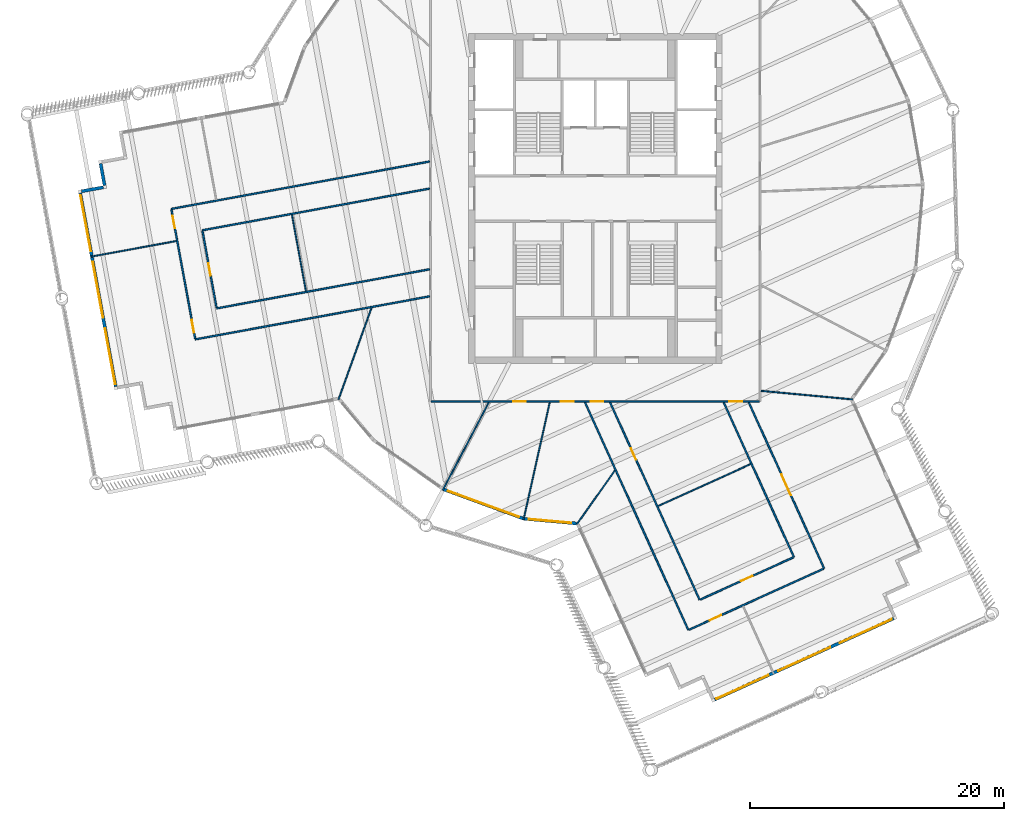
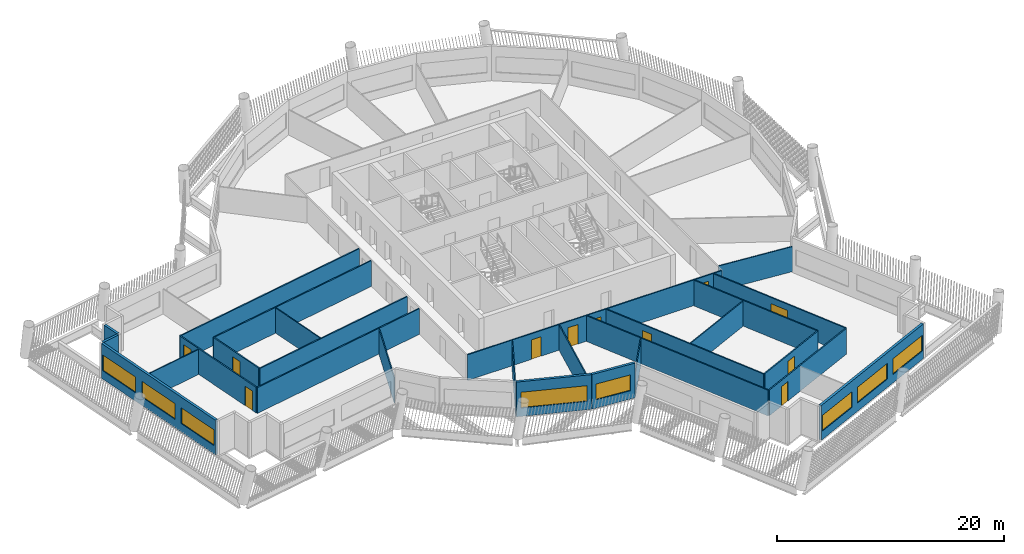
# One storey, part 3 of 15: 27 walls, 11 doors, 8 windows, 19 openings.
"""IFC4 building model written with IfcOpenShell, lengths in metres."""

from ifc_helpers import new_model, si_unit, direction, frame, frame_2d, origin, place, context, subcontext, project, spatial, rectangle, extrude, material, layer, layer_set, type_object, element, fill, save


model = new_model("IFC4")

# Units and contexts
model_context = context("Model", 3, precision=1e-05, world=origin(), true_north=direction((0.0, 1.0)))
body_context = subcontext(model_context, "Body", "Model", "MODEL_VIEW")
ifc_project = project(units=[si_unit("LENGTHUNIT", "METRE"), si_unit("AREAUNIT", "SQUARE_METRE"), si_unit("VOLUMEUNIT", "CUBIC_METRE"), si_unit("PLANEANGLEUNIT", "RADIAN"), si_unit("MASSUNIT", "GRAM", prefix="KILO")], contexts=[model_context])

# Site, building, storey
site_placement = place(None, origin())
site = spatial("IfcSite", under=ifc_project, at=site_placement, CompositionType="ELEMENT")
building_placement = place(site_placement, origin())
building = spatial("IfcBuilding", under=site, at=building_placement, Name="Tarsis Ring Headquarters", CompositionType="ELEMENT")
storey_placement = place(building_placement, frame((0.0, 0.0, 327.5)))
storey = spatial("IfcBuildingStorey", under=building, at=storey_placement, Name="L77", CompositionType="ELEMENT", Elevation=327.5)

# Walls
ifc_material_1 = material(Name="Gypsum board on steel studs", Category="steel")
ifc_layer_1 = layer(ifc_material_1, 0.10009765625)
ifc_layer_set_1 = layer_set([ifc_layer_1], Name="FL partition 100 unrated")
wall_type_1 = type_object("IfcWallType", Name="FL partition 100 unrated", PredefinedType="PARTITIONING", material=ifc_layer_set_1)
wall_1_placement = place(storey_placement, frame((-5.660400390625, -25.322998046875, 0.0), z_axis=(0.0, 0.0, 1.0), x_axis=(0.218137886552, 0.975917958873, 0.0)))
element("IfcWall", 1, at=wall_1_placement, inside=storey, type_object=wall_type_1, Name="Partition PW3", PredefinedType="PARTITIONING", context=body_context, shape_type="SweptSolid", body=[
    extrude(rectangle(XDim=9.48291015625, YDim=0.10009765625, at=frame_2d((4.741455078125, 0.0))), origin(), (0.0, 0.0, 1.0), 2.699951171875),
])
wall_2_placement = place(storey_placement, frame((4.9501953125, -24.2509765625, 0.0), z_axis=(0.0, 0.0, 1.0), x_axis=(0.910689380646, 0.413091820276, 0.0)))
element("IfcWall", 2, at=wall_2_placement, inside=storey, type_object=wall_type_1, Name="Partition PW3", PredefinedType="PARTITIONING", context=body_context, shape_type="SweptSolid", body=[
    extrude(rectangle(XDim=8.02001953125, YDim=0.10009765625, at=frame_2d((4.010009765625, 0.0))), origin(), (0.0, 0.0, 1.0), 2.699951171875),
])
wall_3_placement = place(storey_placement, frame((-12.021484375, -22.9951171875, 0.0), z_axis=(0.0, 0.0, 1.0), x_axis=(0.463297210908, 0.886202964543, 0.0)))
element("IfcWall", 3, at=wall_3_placement, inside=storey, type_object=wall_type_1, Name="Partition PW3", PredefinedType="PARTITIONING", context=body_context, shape_type="SweptSolid", body=[
    extrude(rectangle(XDim=7.80322265625, YDim=0.10009765625, at=frame_2d((3.901611328125, 0.0))), origin(), (0.0, 0.0, 1.0), 2.699951171875),
])
wall_4_placement = place(storey_placement, frame((-20.252197265625, -15.841064453125, 0.0), z_axis=(0.0, 0.0, 1.0), x_axis=(0.339545746689, 0.940589541673, 0.0)))
element("IfcWall", 4, at=wall_4_placement, inside=storey, type_object=wall_type_1, Name="Partition PW3", PredefinedType="PARTITIONING", context=body_context, shape_type="SweptSolid", body=[
    extrude(rectangle(XDim=7.657470703125, YDim=0.10009765625, at=frame_2d((3.82861328125, 0.0))), origin(), (0.0, 0.0, 1.0), 2.699951171875),
])
wall_5_placement = place(storey_placement, frame((13.06982421875, -15.164794921875, 0.0), z_axis=(0.0, 0.0, 1.0), x_axis=(0.9956455764, -0.09321955908, 0.0)))
element("IfcWall", 5, at=wall_5_placement, inside=storey, type_object=wall_type_1, Name="Partition PW3", PredefinedType="PARTITIONING", context=body_context, shape_type="SweptSolid", body=[
    extrude(rectangle(XDim=7.241455078125, YDim=0.10009765625, at=frame_2d((3.62060546875, 0.0))), origin(), (0.0, 0.0, 1.0), 2.699951171875),
])
wall_6_placement = place(storey_placement, frame((-39.775634765625, -4.585693359375, 0.0), z_axis=(0.0, 0.0, 1.0), x_axis=(0.983571453775, 0.180519238083, 0.0)))
element("IfcWall", 6, at=wall_6_placement, inside=storey, type_object=wall_type_1, Name="Partition PW3", PredefinedType="PARTITIONING", context=body_context, shape_type="SweptSolid", body=[
    extrude(rectangle(XDim=6.85009765625, YDim=0.10009765625, at=frame_2d((3.425048828125, 0.0))), origin(), (0.0, 0.0, 1.0), 2.699951171875),
])
wall_7_placement = place(storey_placement, frame((-23.922119140625, -1.279296875, 0.0), z_axis=(0.0, 0.0, 1.0), x_axis=(0.180510546969, -0.983573048855, 0.0)))
element("IfcWall", 7, at=wall_7_placement, inside=storey, type_object=wall_type_1, Name="Partition PW3", PredefinedType="PARTITIONING", context=body_context, shape_type="SweptSolid", body=[
    extrude(rectangle(XDim=6.1201171875, YDim=0.10009765625, at=frame_2d((3.06005859375, 0.0))), origin(), (0.0, 0.0, 1.0), 2.699951171875),
])
wall_8_placement = place(storey_placement, frame((-1.44970703125, -25.6708984375, 0.0), z_axis=(0.0, 0.0, 1.0), x_axis=(0.578599055491, 0.815612121651, 0.0)))
element("IfcWall", 8, at=wall_8_placement, inside=storey, type_object=wall_type_1, Name="Partition PW3", PredefinedType="PARTITIONING", context=body_context, shape_type="SweptSolid", body=[
    extrude(rectangle(XDim=5.1689453125, YDim=0.10009765625, at=frame_2d((2.58447265625, 0.0))), origin(), (0.0, 0.0, 1.0), 2.699951171875),
])

# Wall, openings, doors
ifc_layer_2 = layer(ifc_material_1, 0.125)
ifc_layer_set_2 = layer_set([ifc_layer_2], Name="FL partition 125 EI 60 H2770")
wall_type_2 = type_object("IfcWallType", Name="FL partition 125 EI 60 H2770", PredefinedType="PARTITIONING", material=ifc_layer_set_2)
wall_9_placement = place(storey_placement, frame((-12.93994140625, -16.0, 0.0), z_axis=(0.0, 0.0, 1.0), x_axis=(1.0, 0.0, 0.0)))
wall_9 = element("IfcWall", 9, at=wall_9_placement, inside=storey, type_object=wall_type_2, Name="Partition PW1", PredefinedType="PARTITIONING", context=body_context, shape_type="SweptSolid", body=[
    extrude(rectangle(XDim=25.8798828125, YDim=0.125, at=frame_2d((12.93994140625, 0.0))), origin(), (0.0, 0.0, 1.0), 2.77001953125),
])
opening_1_placement = place(wall_9_placement, frame((10.228759765625, 0.0, 0.0)))
opening_1 = element("IfcOpeningElement", 10, at=opening_1_placement, cuts=wall_9, Name="Opening D77.14", PredefinedType="OPENING", context=body_context, shape_type="SweptSolid", body=[
    extrude(rectangle(XDim=1.0, YDim=2.10009765625, at=frame_2d((0.5, 1.050048828125))), frame((0.0, 0.072509765625, 0.0), z_axis=(0.0, -1.0, 0.0), x_axis=(1.0, 0.0, 0.0)), (0.0, 0.0, 1.0), 0.14501953125),
])
opening_2_placement = place(wall_9_placement, frame((6.469482421875, 0.0, 0.0)))
opening_2 = element("IfcOpeningElement", 11, at=opening_2_placement, cuts=wall_9, Name="Opening D77.15", PredefinedType="OPENING", context=body_context, shape_type="SweptSolid", body=[
    extrude(rectangle(XDim=1.0, YDim=2.10009765625, at=frame_2d((0.5, 1.050048828125))), frame((0.0, 0.072509765625, 0.0), z_axis=(0.0, -1.0, 0.0), x_axis=(1.0, 0.0, 0.0)), (0.0, 0.0, 1.0), 0.14501953125),
])
opening_3_placement = place(wall_9_placement, frame((12.58251953125, 0.0, 0.0)))
opening_3 = element("IfcOpeningElement", 12, at=opening_3_placement, cuts=wall_9, Name="Opening D77.21", PredefinedType="OPENING", context=body_context, shape_type="SweptSolid", body=[
    extrude(rectangle(XDim=1.0, YDim=2.10009765625, at=frame_2d((0.5, 1.050048828125))), frame((0.0, 0.072509765625, 0.0), z_axis=(0.0, -1.0, 0.0), x_axis=(1.0, 0.0, 0.0)), (0.0, 0.0, 1.0), 0.14501953125),
])
opening_4_placement = place(wall_9_placement, frame((23.519287109375, 0.0, 0.0)))
opening_4 = element("IfcOpeningElement", 13, at=opening_4_placement, cuts=wall_9, Name="Opening D77.22", PredefinedType="OPENING", context=body_context, shape_type="SweptSolid", body=[
    extrude(rectangle(XDim=1.0, YDim=2.10009765625, at=frame_2d((0.5, 1.050048828125))), frame((0.0, 0.072509765625, 0.0), z_axis=(0.0, -1.0, 0.0), x_axis=(1.0, 0.0, 0.0)), (0.0, 0.0, 1.0), 0.14501953125),
])
ifc_material_2 = material(Name="Fire-rated timber door leaf in steel frame", Category="steel")
door_type_1 = type_object("IfcDoorType", Name="FL door FD60-1000", OperationType="NOTDEFINED", PredefinedType="DOOR", material=ifc_material_2)
door_1_placement = place(opening_1_placement, origin())
door_1 = element("IfcDoor", 14, at=door_1_placement, inside=storey, type_object=door_type_1, Name="Door D77.14", OperationType="SINGLE_SWING_LEFT", OverallHeight=2.10009765625, OverallWidth=1.0, PredefinedType="DOOR", context=body_context, shape_type="SweptSolid", body=[
    extrude(rectangle(XDim=1.0, YDim=2.10009765625, at=frame_2d((0.5, 1.050048828125))), frame((0.0, 0.02490234375, 0.0), z_axis=(0.0, -1.0, 0.0), x_axis=(1.0, 0.0, 0.0)), (0.0, 0.0, 1.0), 0.050048828125),
])
fill(opening_1, door_1)
door_2_placement = place(opening_2_placement, origin())
door_2 = element("IfcDoor", 15, at=door_2_placement, inside=storey, type_object=door_type_1, Name="Door D77.15", OperationType="SINGLE_SWING_RIGHT", OverallHeight=2.10009765625, OverallWidth=1.0, PredefinedType="DOOR", context=body_context, shape_type="SweptSolid", body=[
    extrude(rectangle(XDim=1.0, YDim=2.10009765625, at=frame_2d((0.5, 1.050048828125))), frame((0.0, 0.02490234375, 0.0), z_axis=(0.0, -1.0, 0.0), x_axis=(1.0, 0.0, 0.0)), (0.0, 0.0, 1.0), 0.050048828125),
])
fill(opening_2, door_2)
door_3_placement = place(opening_3_placement, origin())
door_3 = element("IfcDoor", 16, at=door_3_placement, inside=storey, type_object=door_type_1, Name="Door D77.21", OperationType="SINGLE_SWING_RIGHT", OverallHeight=2.10009765625, OverallWidth=1.0, PredefinedType="DOOR", context=body_context, shape_type="SweptSolid", body=[
    extrude(rectangle(XDim=1.0, YDim=2.10009765625, at=frame_2d((0.5, 1.050048828125))), frame((0.0, 0.02490234375, 0.0), z_axis=(0.0, -1.0, 0.0), x_axis=(1.0, 0.0, 0.0)), (0.0, 0.0, 1.0), 0.050048828125),
])
fill(opening_3, door_3)
door_4_placement = place(opening_4_placement, origin())
door_4 = element("IfcDoor", 17, at=door_4_placement, inside=storey, type_object=door_type_1, Name="Door D77.22", OperationType="SINGLE_SWING_LEFT", OverallHeight=2.10009765625, OverallWidth=1.0, PredefinedType="DOOR", context=body_context, shape_type="SweptSolid", body=[
    extrude(rectangle(XDim=1.0, YDim=2.10009765625, at=frame_2d((0.5, 1.050048828125))), frame((0.0, 0.02490234375, 0.0), z_axis=(0.0, -1.0, 0.0), x_axis=(1.0, 0.0, 0.0)), (0.0, 0.0, 1.0), 0.050048828125),
])
fill(opening_4, door_4)

# Walls
wall_10_placement = place(storey_placement, frame((-33.431396484375, -0.818603515625, 0.0), z_axis=(0.0, 0.0, 1.0), x_axis=(0.983570804988, 0.180522773008, 0.0)))
element("IfcWall", 18, at=wall_10_placement, inside=storey, type_object=wall_type_2, Name="Partition PW1", PredefinedType="PARTITIONING", context=body_context, shape_type="SweptSolid", body=[
    extrude(rectangle(XDim=20.70263671875, YDim=0.125, at=frame_2d((10.351318359375, 0.0))), origin(), (0.0, 0.0, 1.0), 2.77001953125),
])
wall_11_placement = place(storey_placement, frame((-0.80859375, -16.08203125, 0.0), z_axis=(0.0, 0.0, 1.0), x_axis=(0.413100971666, -0.910685229489, 0.0)))
element("IfcWall", 19, at=wall_11_placement, inside=storey, type_object=wall_type_2, Name="Partition PW1", PredefinedType="PARTITIONING", context=body_context, shape_type="SweptSolid", body=[
    extrude(rectangle(XDim=19.70849609375, YDim=0.125, at=frame_2d((9.854248046875, 0.0))), origin(), (0.0, 0.0, 1.0), 2.77001953125),
])
wall_12_placement = place(storey_placement, frame((-31.543212890625, -11.106689453125, 0.0), z_axis=(0.0, 0.0, 1.0), x_axis=(0.983569687707, 0.180528860363, 0.0)))
element("IfcWall", 20, at=wall_12_placement, inside=storey, type_object=wall_type_2, Name="Partition PW1", PredefinedType="PARTITIONING", context=body_context, shape_type="SweptSolid", body=[
    extrude(rectangle(XDim=18.782958984375, YDim=0.125, at=frame_2d((9.3916015625, 0.0))), origin(), (0.0, 0.0, 1.0), 2.77001953125),
])
wall_13_placement = place(storey_placement, frame((-30.98681640625, -2.5048828125, 0.0), z_axis=(0.0, 0.0, 1.0), x_axis=(0.983571358067, 0.180519759554, 0.0)))
element("IfcWall", 21, at=wall_13_placement, inside=storey, type_object=wall_type_2, Name="Partition PW1", PredefinedType="PARTITIONING", context=body_context, shape_type="SweptSolid", body=[
    extrude(rectangle(XDim=18.21728515625, YDim=0.125, at=frame_2d((9.108642578125, 0.0))), origin(), (0.0, 0.0, 1.0), 2.77001953125),
])

# Wall, opening, door
wall_14_placement = place(storey_placement, frame((1.167724609375, -16.08203125, 0.0), z_axis=(0.0, 0.0, 1.0), x_axis=(0.413104379435, -0.910683683664, 0.0)))
wall_14 = element("IfcWall", 22, at=wall_14_placement, inside=storey, type_object=wall_type_2, Name="Partition PW1", PredefinedType="PARTITIONING", context=body_context, shape_type="SweptSolid", body=[
    extrude(rectangle(XDim=17.092041015625, YDim=0.125, at=frame_2d((8.5458984375, 0.0))), origin(), (0.0, 0.0, 1.0), 2.77001953125),
])
opening_5_placement = place(wall_14_placement, frame((3.954345703125, 0.0, 0.0)))
opening_5 = element("IfcOpeningElement", 23, at=opening_5_placement, cuts=wall_14, Name="Opening D77.19", PredefinedType="OPENING", context=body_context, shape_type="SweptSolid", body=[
    extrude(rectangle(XDim=1.0, YDim=2.10009765625, at=frame_2d((0.5, 1.050048828125))), frame((0.0, 0.072509765625, 0.0), z_axis=(0.0, -1.0, 0.0), x_axis=(1.0, 0.0, 0.0)), (0.0, 0.0, 1.0), 0.14501953125),
])
door_5_placement = place(opening_5_placement, origin())
door_5 = element("IfcDoor", 24, at=door_5_placement, inside=storey, type_object=door_type_1, Name="Door D77.19", OperationType="SINGLE_SWING_RIGHT", OverallHeight=2.10009765625, OverallWidth=1.0, PredefinedType="DOOR", context=body_context, shape_type="SweptSolid", body=[
    extrude(rectangle(XDim=1.0, YDim=2.10009765625, at=frame_2d((0.5, 1.050048828125))), frame((0.0, 0.02490234375, 0.0), z_axis=(0.0, -1.0, 0.0), x_axis=(1.0, 0.0, 0.0)), (0.0, 0.0, 1.0), 0.050048828125),
])
fill(opening_5, door_5)

# Wall
wall_15_placement = place(storey_placement, frame((-29.856689453125, -8.662109375, 0.0), z_axis=(0.0, 0.0, 1.0), x_axis=(0.983569876201, 0.180527833392, 0.0)))
element("IfcWall", 25, at=wall_15_placement, inside=storey, type_object=wall_type_2, Name="Partition PW1", PredefinedType="PARTITIONING", context=body_context, shape_type="SweptSolid", body=[
    extrude(rectangle(XDim=17.068359375, YDim=0.125, at=frame_2d((8.5341796875, 0.0))), origin(), (0.0, 0.0, 1.0), 2.77001953125),
])

# Wall, opening, door
wall_16_placement = place(storey_placement, frame((12.104736328125, -16.08203125, 0.0), z_axis=(0.0, 0.0, 1.0), x_axis=(0.413093866691, -0.910688452382, 0.0)))
wall_16 = element("IfcWall", 26, at=wall_16_placement, inside=storey, type_object=wall_type_2, Name="Partition PW1", PredefinedType="PARTITIONING", context=body_context, shape_type="SweptSolid", body=[
    extrude(rectangle(XDim=14.373779296875, YDim=0.125, at=frame_2d((7.18701171875, 0.0))), origin(), (0.0, 0.0, 1.0), 2.77001953125),
])
opening_6_placement = place(wall_16_placement, frame((6.241943359375, 0.0, 0.0)))
opening_6 = element("IfcOpeningElement", 27, at=opening_6_placement, cuts=wall_16, Name="Opening D77.12", PredefinedType="OPENING", context=body_context, shape_type="SweptSolid", body=[
    extrude(rectangle(XDim=1.800048828125, YDim=2.10009765625, at=frame_2d((0.89990234375, 1.050048828125))), frame((0.0, 0.072509765625, 0.0), z_axis=(0.0, -1.0, 0.0), x_axis=(1.0, 0.0, 0.0)), (0.0, 0.0, 1.0), 0.14501953125),
])
door_type_2 = type_object("IfcDoorType", Name="FL door FD60-1800", OperationType="DOUBLE_DOOR_SINGLE_SWING", PredefinedType="DOOR", material=ifc_material_2)
door_6_placement = place(opening_6_placement, origin())
door_6 = element("IfcDoor", 28, at=door_6_placement, inside=storey, type_object=door_type_2, Name="Door D77.12", OperationType="DOUBLE_DOOR_SINGLE_SWING", OverallHeight=2.10009765625, OverallWidth=1.800048828125, PredefinedType="DOOR", context=body_context, shape_type="SweptSolid", body=[
    extrude(rectangle(XDim=1.800048828125, YDim=2.10009765625, at=frame_2d((0.89990234375, 1.050048828125))), frame((0.0, 0.02490234375, 0.0), z_axis=(0.0, -1.0, 0.0), x_axis=(1.0, 0.0, 0.0)), (0.0, 0.0, 1.0), 0.050048828125),
])
fill(opening_6, door_6)

# Wall
wall_17_placement = place(storey_placement, frame((10.128173828125, -16.08203125, 0.0), z_axis=(0.0, 0.0, 1.0), x_axis=(0.41311323538, -0.910679666378, 0.0)))
element("IfcWall", 29, at=wall_17_placement, inside=storey, type_object=wall_type_2, Name="Partition PW1", PredefinedType="PARTITIONING", context=body_context, shape_type="SweptSolid", body=[
    extrude(rectangle(XDim=13.390380859375, YDim=0.125, at=frame_2d((6.6953125, 0.0))), origin(), (0.0, 0.0, 1.0), 2.77001953125),
])

# Wall, opening, door
wall_18_placement = place(storey_placement, frame((7.3876953125, -34.00537109375, 0.0), z_axis=(0.0, 0.0, 1.0), x_axis=(0.910681545388, 0.413109093207, 0.0)))
wall_18 = element("IfcWall", 30, at=wall_18_placement, inside=storey, type_object=wall_type_2, Name="Partition PW1", PredefinedType="PARTITIONING", context=body_context, shape_type="SweptSolid", body=[
    extrude(rectangle(XDim=11.639892578125, YDim=0.125, at=frame_2d((5.81982421875, 0.0))), origin(), (0.0, 0.0, 1.0), 2.77001953125),
])
opening_7_placement = place(wall_18_placement, frame((1.796630859375, 0.0, 0.0)))
opening_7 = element("IfcOpeningElement", 31, at=opening_7_placement, cuts=wall_18, Name="Opening D77.13", PredefinedType="OPENING", context=body_context, shape_type="SweptSolid", body=[
    extrude(rectangle(XDim=1.0, YDim=2.10009765625, at=frame_2d((0.5, 1.050048828125))), frame((0.0, 0.072509765625, 0.0), z_axis=(0.0, -1.0, 0.0), x_axis=(1.0, 0.0, 0.0)), (0.0, 0.0, 1.0), 0.14501953125),
])
door_7_placement = place(opening_7_placement, origin())
door_7 = element("IfcDoor", 32, at=door_7_placement, inside=storey, type_object=door_type_1, Name="Door D77.13", OperationType="SINGLE_SWING_RIGHT", OverallHeight=2.10009765625, OverallWidth=1.0, PredefinedType="DOOR", context=body_context, shape_type="SweptSolid", body=[
    extrude(rectangle(XDim=1.0, YDim=2.10009765625, at=frame_2d((0.5, 1.050048828125))), frame((0.0, 0.02490234375, 0.0), z_axis=(0.0, -1.0, 0.0), x_axis=(1.0, 0.0, 0.0)), (0.0, 0.0, 1.0), 0.050048828125),
])
fill(opening_7, door_7)

# Wall, openings, doors
wall_19_placement = place(storey_placement, frame((-33.420654296875, -0.87744140625, 0.0), z_axis=(0.0, 0.0, 1.0), x_axis=(0.180507948351, -0.983573525763, 0.0)))
wall_19 = element("IfcWall", 33, at=wall_19_placement, inside=storey, type_object=wall_type_2, Name="Partition PW1", PredefinedType="PARTITIONING", context=body_context, shape_type="SweptSolid", body=[
    extrude(rectangle(XDim=10.340087890625, YDim=0.125, at=frame_2d((5.169921875, 0.0))), origin(), (0.0, 0.0, 1.0), 2.77001953125),
])
opening_8_placement = place(wall_19_placement, frame((8.85009765625, 0.0, 0.0)))
opening_8 = element("IfcOpeningElement", 34, at=opening_8_placement, cuts=wall_19, Name="Opening D77.01", PredefinedType="OPENING", context=body_context, shape_type="SweptSolid", body=[
    extrude(rectangle(XDim=1.0, YDim=2.10009765625, at=frame_2d((0.5, 1.050048828125))), frame((0.0, 0.072509765625, 0.0), z_axis=(0.0, -1.0, 0.0), x_axis=(1.0, 0.0, 0.0)), (0.0, 0.0, 1.0), 0.14501953125),
])
opening_9_placement = place(wall_19_placement, frame((0.489990234375, 0.0, 0.0)))
opening_9 = element("IfcOpeningElement", 35, at=opening_9_placement, cuts=wall_19, Name="Opening D77.02", PredefinedType="OPENING", context=body_context, shape_type="SweptSolid", body=[
    extrude(rectangle(XDim=1.0, YDim=2.10009765625, at=frame_2d((0.5, 1.050048828125))), frame((0.0, 0.072509765625, 0.0), z_axis=(0.0, -1.0, 0.0), x_axis=(1.0, 0.0, 0.0)), (0.0, 0.0, 1.0), 0.14501953125),
])
door_8_placement = place(opening_8_placement, origin())
door_8 = element("IfcDoor", 36, at=door_8_placement, inside=storey, type_object=door_type_1, Name="Door D77.01", OperationType="SINGLE_SWING_RIGHT", OverallHeight=2.10009765625, OverallWidth=1.0, PredefinedType="DOOR", context=body_context, shape_type="SweptSolid", body=[
    extrude(rectangle(XDim=1.0, YDim=2.10009765625, at=frame_2d((0.5, 1.050048828125))), frame((0.0, 0.02490234375, 0.0), z_axis=(0.0, -1.0, 0.0), x_axis=(1.0, 0.0, 0.0)), (0.0, 0.0, 1.0), 0.050048828125),
])
fill(opening_8, door_8)
door_9_placement = place(opening_9_placement, origin())
door_9 = element("IfcDoor", 37, at=door_9_placement, inside=storey, type_object=door_type_1, Name="Door D77.02", OperationType="SINGLE_SWING_LEFT", OverallHeight=2.10009765625, OverallWidth=1.0, PredefinedType="DOOR", context=body_context, shape_type="SweptSolid", body=[
    extrude(rectangle(XDim=1.0, YDim=2.10009765625, at=frame_2d((0.5, 1.050048828125))), frame((0.0, 0.02490234375, 0.0), z_axis=(0.0, -1.0, 0.0), x_axis=(1.0, 0.0, 0.0)), (0.0, 0.0, 1.0), 0.050048828125),
])
fill(opening_9, door_9)

# Wall, opening, door
wall_20_placement = place(storey_placement, frame((8.283203125, -31.62255859375, 0.0), z_axis=(0.0, 0.0, 1.0), x_axis=(0.91068443014, 0.413102733832, 0.0)))
wall_20 = element("IfcWall", 38, at=wall_20_placement, inside=storey, type_object=wall_type_2, Name="Partition PW1", PredefinedType="PARTITIONING", context=body_context, shape_type="SweptSolid", body=[
    extrude(rectangle(XDim=8.039794921875, YDim=0.125, at=frame_2d((4.02001953125, 0.0))), origin(), (0.0, 0.0, 1.0), 2.77001953125),
])
opening_10_placement = place(wall_20_placement, frame((3.52001953125, 0.0, 0.0)))
opening_10 = element("IfcOpeningElement", 39, at=opening_10_placement, cuts=wall_20, Name="Opening D77.20", PredefinedType="OPENING", context=body_context, shape_type="SweptSolid", body=[
    extrude(rectangle(XDim=1.0, YDim=2.10009765625, at=frame_2d((0.5, 1.050048828125))), frame((0.0, 0.072509765625, 0.0), z_axis=(0.0, -1.0, 0.0), x_axis=(1.0, 0.0, 0.0)), (0.0, 0.0, 1.0), 0.14501953125),
])
door_10_placement = place(opening_10_placement, origin())
door_10 = element("IfcDoor", 40, at=door_10_placement, inside=storey, type_object=door_type_1, Name="Door D77.20", OperationType="SINGLE_SWING_LEFT", OverallHeight=2.10009765625, OverallWidth=1.0, PredefinedType="DOOR", context=body_context, shape_type="SweptSolid", body=[
    extrude(rectangle(XDim=1.0, YDim=2.10009765625, at=frame_2d((0.5, 1.050048828125))), frame((0.0, 0.02490234375, 0.0), z_axis=(0.0, -1.0, 0.0), x_axis=(1.0, 0.0, 0.0)), (0.0, 0.0, 1.0), 0.050048828125),
])
fill(opening_10, door_10)

wall_21_placement = place(storey_placement, frame((-30.97607421875, -2.56396484375, 0.0), z_axis=(0.0, 0.0, 1.0), x_axis=(0.180522778543, -0.983570803973, 0.0)))
wall_21 = element("IfcWall", 41, at=wall_21_placement, inside=storey, type_object=wall_type_2, Name="Partition PW1", PredefinedType="PARTITIONING", context=body_context, shape_type="SweptSolid", body=[
    extrude(rectangle(XDim=6.139892578125, YDim=0.125, at=frame_2d((3.06982421875, 0.0))), origin(), (0.0, 0.0, 1.0), 2.77001953125),
])
opening_11_placement = place(wall_21_placement, frame((2.570068359375, 0.0, 0.0)))
opening_11 = element("IfcOpeningElement", 42, at=opening_11_placement, cuts=wall_21, Name="Opening D77.18", PredefinedType="OPENING", context=body_context, shape_type="SweptSolid", body=[
    extrude(rectangle(XDim=1.0, YDim=2.10009765625, at=frame_2d((0.5, 1.050048828125))), frame((0.0, 0.072509765625, 0.0), z_axis=(0.0, -1.0, 0.0), x_axis=(1.0, 0.0, 0.0)), (0.0, 0.0, 1.0), 0.14501953125),
])
door_11_placement = place(opening_11_placement, origin())
door_11 = element("IfcDoor", 43, at=door_11_placement, inside=storey, type_object=door_type_1, Name="Door D77.18", OperationType="SINGLE_SWING_LEFT", OverallHeight=2.10009765625, OverallWidth=1.0, PredefinedType="DOOR", context=body_context, shape_type="SweptSolid", body=[
    extrude(rectangle(XDim=1.0, YDim=2.10009765625, at=frame_2d((0.5, 1.050048828125))), frame((0.0, 0.02490234375, 0.0), z_axis=(0.0, -1.0, 0.0), x_axis=(1.0, 0.0, 0.0)), (0.0, 0.0, 1.0), 0.050048828125),
])
fill(opening_11, door_11)

# Wall, opening, window
ifc_material_3 = material(Name="Terracotta clad insulated panel wall", Category="masonry")
ifc_layer_3 = layer(ifc_material_3, 0.25)
ifc_layer_set_3 = layer_set([ifc_layer_3], Name="Facade wall terracotta panel 250")
wall_type_3 = type_object("IfcWallType", Name="Facade wall terracotta panel 250", PredefinedType="STANDARD", material=ifc_layer_set_3)
wall_22_placement = place(storey_placement, frame((-11.971923828125, -22.935302734375, 0.0), z_axis=(0.0, 0.0, 1.0), x_axis=(0.939101125744, -0.343640910875, 0.0)))
wall_22 = element("IfcWall", 44, at=wall_22_placement, inside=storey, type_object=wall_type_3, Name="External wall L77-04", PredefinedType="STANDARD", context=body_context, shape_type="SweptSolid", body=[
    extrude(rectangle(XDim=6.7216796875, YDim=0.25, at=frame_2d((3.36083984375, 0.0))), origin(), (0.0, 0.0, 1.0), 3.739990234375),
])
opening_12_placement = place(wall_22_placement, frame((0.3857421875, 0.0, 0.89990234375)))
opening_12 = element("IfcOpeningElement", 45, at=opening_12_placement, cuts=wall_22, Name="Opening WN07", PredefinedType="OPENING", context=body_context, shape_type="SweptSolid", body=[
    extrude(rectangle(XDim=5.949951171875, YDim=1.699951171875, at=frame_2d((2.97509765625, 0.85009765625))), frame((0.0, 0.135009765625, 0.0), z_axis=(0.0, -1.0, 0.0), x_axis=(1.0, 0.0, 0.0)), (0.0, 0.0, 1.0), 0.27001953125),
])
ifc_material_4 = material(Name="Aluminium framed double glazing", Category="aluminium")
window_type_1 = type_object("IfcWindowType", Name="Facade window 5950 x 1700", PartitioningType="SINGLE_PANEL", PredefinedType="WINDOW", material=ifc_material_4)
window_1_placement = place(opening_12_placement, origin())
window_1 = element("IfcWindow", 46, at=window_1_placement, inside=storey, type_object=window_type_1, Name="Window L77-04.1", OverallHeight=1.699951171875, OverallWidth=5.949951171875, PartitioningType="SINGLE_PANEL", PredefinedType="WINDOW", context=body_context, shape_type="SweptSolid", body=[
    extrude(rectangle(XDim=5.949951171875, YDim=1.699951171875, at=frame_2d((2.97509765625, 0.85009765625))), frame((0.0, 0.030029296875, 0.0), z_axis=(0.0, -1.0, 0.0), x_axis=(1.0, 0.0, 0.0)), (0.0, 0.0, 1.0), 0.06005859375),
])
fill(opening_12, window_1)

wall_23_placement = place(storey_placement, frame((-5.6279296875, -25.252197265625, 0.0), z_axis=(0.0, 0.0, 1.0), x_axis=(0.996040119956, -0.088904889849, 0.0)))
wall_23 = element("IfcWall", 47, at=wall_23_placement, inside=storey, type_object=wall_type_3, Name="External wall L77-05", PredefinedType="STANDARD", context=body_context, shape_type="SweptSolid", body=[
    extrude(rectangle(XDim=4.157470703125, YDim=0.25, at=frame_2d((2.07861328125, 0.0))), origin(), (0.0, 0.0, 1.0), 3.739990234375),
])
opening_13_placement = place(wall_23_placement, frame((0.38720703125, 0.0, 0.89990234375)))
opening_13 = element("IfcOpeningElement", 48, at=opening_13_placement, cuts=wall_23, Name="Opening WN01", PredefinedType="OPENING", context=body_context, shape_type="SweptSolid", body=[
    extrude(rectangle(XDim=3.35009765625, YDim=1.699951171875, at=frame_2d((1.675048828125, 0.85009765625))), frame((0.0, 0.135009765625, 0.0), z_axis=(0.0, -1.0, 0.0), x_axis=(1.0, 0.0, 0.0)), (0.0, 0.0, 1.0), 0.27001953125),
])
window_type_2 = type_object("IfcWindowType", Name="Facade window 3350 x 1700", PartitioningType="SINGLE_PANEL", PredefinedType="WINDOW", material=ifc_material_4)
window_2_placement = place(opening_13_placement, origin())
window_2 = element("IfcWindow", 49, at=window_2_placement, inside=storey, type_object=window_type_2, Name="Window L77-05.1", OverallHeight=1.699951171875, OverallWidth=3.35009765625, PartitioningType="SINGLE_PANEL", PredefinedType="WINDOW", context=body_context, shape_type="SweptSolid", body=[
    extrude(rectangle(XDim=3.35009765625, YDim=1.699951171875, at=frame_2d((1.675048828125, 0.85009765625))), frame((0.0, 0.030029296875, 0.0), z_axis=(0.0, -1.0, 0.0), x_axis=(1.0, 0.0, 0.0)), (0.0, 0.0, 1.0), 0.06005859375),
])
fill(opening_13, window_2)

# Wall, openings, windows
wall_24_placement = place(storey_placement, frame((9.414794921875, -39.51513671875, 0.0), z_axis=(0.0, 0.0, 1.0), x_axis=(0.910683390428, 0.41310502587, 0.0)))
wall_24 = element("IfcWall", 50, at=wall_24_placement, inside=storey, type_object=wall_type_3, Name="External wall L77-11", PredefinedType="STANDARD", context=body_context, shape_type="SweptSolid", body=[
    extrude(rectangle(XDim=15.499755859375, YDim=0.25, at=frame_2d((7.75, 0.0))), origin(), (0.0, 0.0, 1.0), 3.739990234375),
])
opening_14_placement = place(wall_24_placement, frame((0.166748046875, 0.0, 0.89990234375)))
opening_14 = element("IfcOpeningElement", 51, at=opening_14_placement, cuts=wall_24, Name="Opening WN04", PredefinedType="OPENING", context=body_context, shape_type="SweptSolid", body=[
    extrude(rectangle(XDim=4.5, YDim=1.699951171875, at=frame_2d((2.25, 0.85009765625))), frame((0.0, 0.135009765625, 0.0), z_axis=(0.0, -1.0, 0.0), x_axis=(1.0, 0.0, 0.0)), (0.0, 0.0, 1.0), 0.27001953125),
])
opening_15_placement = place(wall_24_placement, frame((5.5, 0.0, 0.89990234375)))
opening_15 = element("IfcOpeningElement", 52, at=opening_15_placement, cuts=wall_24, Name="Opening WN04", PredefinedType="OPENING", context=body_context, shape_type="SweptSolid", body=[
    extrude(rectangle(XDim=4.5, YDim=1.699951171875, at=frame_2d((2.25, 0.85009765625))), frame((0.0, 0.135009765625, 0.0), z_axis=(0.0, -1.0, 0.0), x_axis=(1.0, 0.0, 0.0)), (0.0, 0.0, 1.0), 0.27001953125),
])
opening_16_placement = place(wall_24_placement, frame((10.833251953125, 0.0, 0.89990234375)))
opening_16 = element("IfcOpeningElement", 53, at=opening_16_placement, cuts=wall_24, Name="Opening WN04", PredefinedType="OPENING", context=body_context, shape_type="SweptSolid", body=[
    extrude(rectangle(XDim=4.5, YDim=1.699951171875, at=frame_2d((2.25, 0.85009765625))), frame((0.0, 0.135009765625, 0.0), z_axis=(0.0, -1.0, 0.0), x_axis=(1.0, 0.0, 0.0)), (0.0, 0.0, 1.0), 0.27001953125),
])
window_type_3 = type_object("IfcWindowType", Name="Facade window 4500 x 1700", PartitioningType="SINGLE_PANEL", PredefinedType="WINDOW", material=ifc_material_4)
window_3_placement = place(opening_14_placement, origin())
window_3 = element("IfcWindow", 54, at=window_3_placement, inside=storey, type_object=window_type_3, Name="Window L77-11.1", OverallHeight=1.699951171875, OverallWidth=4.5, PartitioningType="SINGLE_PANEL", PredefinedType="WINDOW", context=body_context, shape_type="SweptSolid", body=[
    extrude(rectangle(XDim=4.5, YDim=1.699951171875, at=frame_2d((2.25, 0.85009765625))), frame((0.0, 0.030029296875, 0.0), z_axis=(0.0, -1.0, 0.0), x_axis=(1.0, 0.0, 0.0)), (0.0, 0.0, 1.0), 0.06005859375),
])
fill(opening_14, window_3)
window_4_placement = place(opening_15_placement, origin())
window_4 = element("IfcWindow", 55, at=window_4_placement, inside=storey, type_object=window_type_3, Name="Window L77-11.2", OverallHeight=1.699951171875, OverallWidth=4.5, PartitioningType="SINGLE_PANEL", PredefinedType="WINDOW", context=body_context, shape_type="SweptSolid", body=[
    extrude(rectangle(XDim=4.5, YDim=1.699951171875, at=frame_2d((2.25, 0.85009765625))), frame((0.0, 0.030029296875, 0.0), z_axis=(0.0, -1.0, 0.0), x_axis=(1.0, 0.0, 0.0)), (0.0, 0.0, 1.0), 0.06005859375),
])
fill(opening_15, window_4)
window_5_placement = place(opening_16_placement, origin())
window_5 = element("IfcWindow", 56, at=window_5_placement, inside=storey, type_object=window_type_3, Name="Window L77-11.3", OverallHeight=1.699951171875, OverallWidth=4.5, PartitioningType="SINGLE_PANEL", PredefinedType="WINDOW", context=body_context, shape_type="SweptSolid", body=[
    extrude(rectangle(XDim=4.5, YDim=1.699951171875, at=frame_2d((2.25, 0.85009765625))), frame((0.0, 0.030029296875, 0.0), z_axis=(0.0, -1.0, 0.0), x_axis=(1.0, 0.0, 0.0)), (0.0, 0.0, 1.0), 0.06005859375),
])
fill(opening_16, window_5)

# Walls
for number, where, z_axis, x_axis, name in (
    (57, (-39.012939453125, 2.752685546875, 0.0), (0.0, 0.0, 1.0), (0.180530330047, -0.983569417953, 0.0), "External wall L77-34"),
    (58, (-38.79736328125, 0.885986328125, 0.0), (0.0, 0.0, 1.0), (-0.983569417953, -0.180530330047, 0.0), "External wall L77-35"),
):
    element("IfcWall", number, at=place(storey_placement, frame(where, z_axis=z_axis, x_axis=x_axis)), inside=storey, type_object=wall_type_3, Name=name, PredefinedType="STANDARD", context=body_context, shape_type="SweptSolid", body=[
        extrude(rectangle(XDim=1.75, YDim=0.25, at=frame_2d((0.875, 0.0))), origin(), (0.0, 0.0, 1.0), 3.739990234375),
    ])

# Wall, openings, windows
wall_25_placement = place(storey_placement, frame((-40.618896484375, 0.424560546875, 0.0), z_axis=(0.0, 0.0, 1.0), x_axis=(0.180522160066, -0.983570917486, 0.0)))
wall_25 = element("IfcWall", 59, at=wall_25_placement, inside=storey, type_object=wall_type_3, Name="External wall L77-36", PredefinedType="STANDARD", context=body_context, shape_type="SweptSolid", body=[
    extrude(rectangle(XDim=15.5, YDim=0.25, at=frame_2d((7.75, 0.0))), origin(), (0.0, 0.0, 1.0), 3.739990234375),
])
opening_17_placement = place(wall_25_placement, frame((0.166748046875, 0.0, 0.89990234375)))
opening_17 = element("IfcOpeningElement", 60, at=opening_17_placement, cuts=wall_25, Name="Opening WN04", PredefinedType="OPENING", context=body_context, shape_type="SweptSolid", body=[
    extrude(rectangle(XDim=4.5, YDim=1.699951171875, at=frame_2d((2.25, 0.85009765625))), frame((0.0, 0.135009765625, 0.0), z_axis=(0.0, -1.0, 0.0), x_axis=(1.0, 0.0, 0.0)), (0.0, 0.0, 1.0), 0.27001953125),
])
opening_18_placement = place(wall_25_placement, frame((5.5, 0.0, 0.89990234375)))
opening_18 = element("IfcOpeningElement", 61, at=opening_18_placement, cuts=wall_25, Name="Opening WN04", PredefinedType="OPENING", context=body_context, shape_type="SweptSolid", body=[
    extrude(rectangle(XDim=4.5, YDim=1.699951171875, at=frame_2d((2.25, 0.85009765625))), frame((0.0, 0.135009765625, 0.0), z_axis=(0.0, -1.0, 0.0), x_axis=(1.0, 0.0, 0.0)), (0.0, 0.0, 1.0), 0.27001953125),
])
opening_19_placement = place(wall_25_placement, frame((10.833251953125, 0.0, 0.89990234375)))
opening_19 = element("IfcOpeningElement", 62, at=opening_19_placement, cuts=wall_25, Name="Opening WN04", PredefinedType="OPENING", context=body_context, shape_type="SweptSolid", body=[
    extrude(rectangle(XDim=4.5, YDim=1.699951171875, at=frame_2d((2.25, 0.85009765625))), frame((0.0, 0.135009765625, 0.0), z_axis=(0.0, -1.0, 0.0), x_axis=(1.0, 0.0, 0.0)), (0.0, 0.0, 1.0), 0.27001953125),
])
window_6_placement = place(opening_17_placement, origin())
window_6 = element("IfcWindow", 63, at=window_6_placement, inside=storey, type_object=window_type_3, Name="Window L77-36.1", OverallHeight=1.699951171875, OverallWidth=4.5, PartitioningType="SINGLE_PANEL", PredefinedType="WINDOW", context=body_context, shape_type="SweptSolid", body=[
    extrude(rectangle(XDim=4.5, YDim=1.699951171875, at=frame_2d((2.25, 0.85009765625))), frame((0.0, 0.030029296875, 0.0), z_axis=(0.0, -1.0, 0.0), x_axis=(1.0, 0.0, 0.0)), (0.0, 0.0, 1.0), 0.06005859375),
])
fill(opening_17, window_6)
window_7_placement = place(opening_18_placement, origin())
window_7 = element("IfcWindow", 64, at=window_7_placement, inside=storey, type_object=window_type_3, Name="Window L77-36.2", OverallHeight=1.699951171875, OverallWidth=4.5, PartitioningType="SINGLE_PANEL", PredefinedType="WINDOW", context=body_context, shape_type="SweptSolid", body=[
    extrude(rectangle(XDim=4.5, YDim=1.699951171875, at=frame_2d((2.25, 0.85009765625))), frame((0.0, 0.030029296875, 0.0), z_axis=(0.0, -1.0, 0.0), x_axis=(1.0, 0.0, 0.0)), (0.0, 0.0, 1.0), 0.06005859375),
])
fill(opening_18, window_7)
window_8_placement = place(opening_19_placement, origin())
window_8 = element("IfcWindow", 65, at=window_8_placement, inside=storey, type_object=window_type_3, Name="Window L77-36.3", OverallHeight=1.699951171875, OverallWidth=4.5, PartitioningType="SINGLE_PANEL", PredefinedType="WINDOW", context=body_context, shape_type="SweptSolid", body=[
    extrude(rectangle(XDim=4.5, YDim=1.699951171875, at=frame_2d((2.25, 0.85009765625))), frame((0.0, 0.030029296875, 0.0), z_axis=(0.0, -1.0, 0.0), x_axis=(1.0, 0.0, 0.0)), (0.0, 0.0, 1.0), 0.06005859375),
])
fill(opening_19, window_8)

save(model, "model.ifc")
